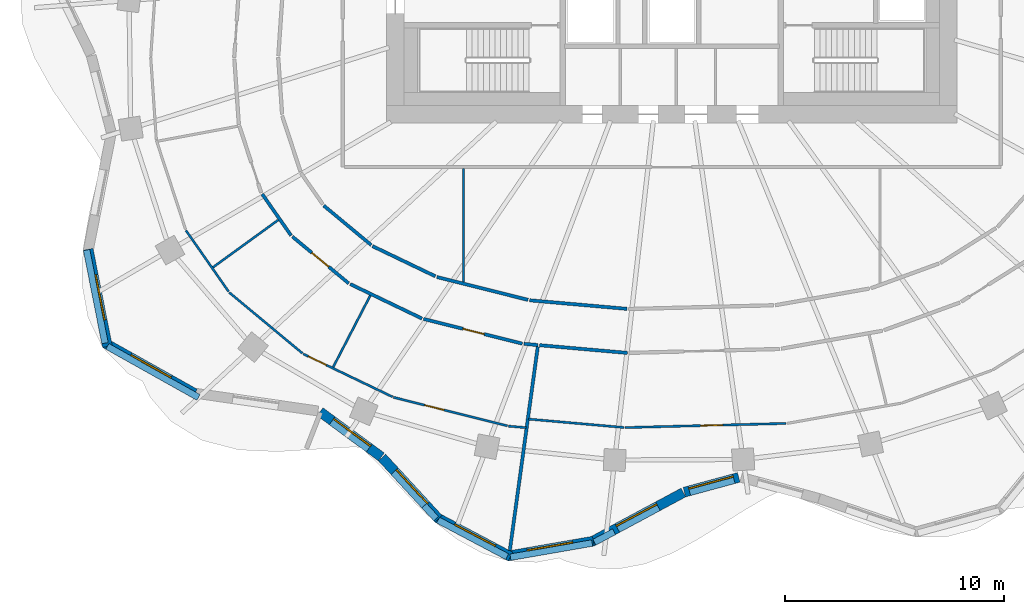
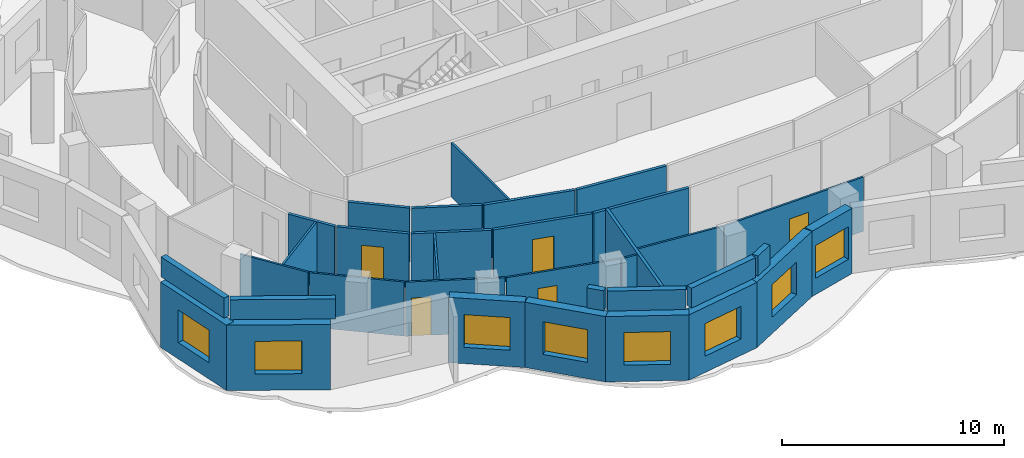
# One storey, part 3 of 10: 35 walls, 8 windows, 5 doors, 13 openings.
"""IFC4 building model written with IfcOpenShell, lengths in metres."""

from ifc_helpers import new_model, si_unit, direction, frame, frame_2d, origin, place, context, subcontext, project, spatial, rectangle, extrude, material, layer, layer_set, type_object, element, fill, save


model = new_model("IFC4")

# Units and contexts
model_context = context("Model", 3, precision=1e-05, world=origin(), true_north=direction((0.0, 1.0)))
body_context = subcontext(model_context, "Body", "Model", "MODEL_VIEW")
ifc_project = project(units=[si_unit("LENGTHUNIT", "METRE"), si_unit("AREAUNIT", "SQUARE_METRE"), si_unit("VOLUMEUNIT", "CUBIC_METRE"), si_unit("PLANEANGLEUNIT", "RADIAN"), si_unit("MASSUNIT", "GRAM", prefix="KILO")], contexts=[model_context])

# Site, building, storey
site_placement = place(None, origin())
site = spatial("IfcSite", under=ifc_project, at=site_placement, CompositionType="ELEMENT")
building_placement = place(site_placement, origin())
building = spatial("IfcBuilding", under=site, at=building_placement, Name="Rubra Terraces Tower", CompositionType="ELEMENT")
storey_placement = place(building_placement, frame((0.0, 0.0, 213.0)))
storey = spatial("IfcBuildingStorey", under=building, at=storey_placement, Name="L52", CompositionType="ELEMENT", Elevation=213.0)

# Wall, opening, window
ifc_material_1 = material(Name="Brick masonry red-brown", Category="masonry")
ifc_layer_1 = layer(ifc_material_1, 0.449951171875)
ifc_layer_set_1 = layer_set([ifc_layer_1], Name="Brick masonry red-brown")
wall_type_1 = type_object("IfcWallType", Name="Brick facade wall 450", PredefinedType="SOLIDWALL", material=ifc_layer_set_1)
wall_1_placement = place(storey_placement, frame((-26.609619140625, -8.747802734375, 0.0), z_axis=(0.0, 0.0, 1.0), x_axis=(0.193923166402, -0.981016720312, 0.0)))
wall_1 = element("IfcWall", 1, at=wall_1_placement, inside=storey, type_object=wall_type_1, Name="Facade wall L52 bay 23", PredefinedType="SOLIDWALL", context=body_context, shape_type="SweptSolid", body=[
    extrude(rectangle(XDim=4.518310546875, YDim=0.449951171875, at=frame_2d((2.25927734375, 0.0))), origin(), (0.0, 0.0, 1.0), 3.60009765625),
])
opening_1_placement = place(wall_1_placement, frame((1.209228515625, 0.0, 0.89990234375)))
opening_1 = element("IfcOpeningElement", 2, at=opening_1_placement, cuts=wall_1, Name="Opening W1Z", PredefinedType="OPENING", context=body_context, shape_type="SweptSolid", body=[
    extrude(rectangle(XDim=2.10009765625, YDim=1.800048828125, at=frame_2d((1.050048828125, 0.89990234375))), frame((0.0, 0.23486328125, 0.0), z_axis=(0.0, -1.0, 0.0), x_axis=(1.0, 0.0, 0.0)), (0.0, 0.0, 1.0), 0.469970703125),
])
ifc_material_2 = material(Name="Clear glass in aluminium frame", Category="aluminium")
window_type = type_object("IfcWindowType", Name="Fixed deep-set window under transfer level 2100 x 1800", PartitioningType="SINGLE_PANEL", PredefinedType="WINDOW", material=ifc_material_2)
window_1_placement = place(opening_1_placement, origin())
window_1 = element("IfcWindow", 3, at=window_1_placement, inside=storey, type_object=window_type, Name="Window L52 bay 23", OverallHeight=1.800048828125, OverallWidth=2.10009765625, PartitioningType="SINGLE_PANEL", PredefinedType="WINDOW", context=body_context, shape_type="SweptSolid", body=[
    extrude(rectangle(XDim=2.10009765625, YDim=1.800048828125, at=frame_2d((1.050048828125, 0.89990234375))), frame((0.0, 0.135009765625, 0.0), z_axis=(0.0, -1.0, 0.0), x_axis=(1.0, 0.0, 0.0)), (0.0, 0.0, 1.0), 0.06005859375),
])
fill(opening_1, window_1)

wall_2_placement = place(storey_placement, frame((-25.843994140625, -13.027587890625, 0.0), z_axis=(0.0, 0.0, 1.0), x_axis=(0.872346398261, -0.488888291373, 0.0)))
wall_2 = element("IfcWall", 4, at=wall_2_placement, inside=storey, type_object=wall_type_1, Name="Facade wall L52 bay 24", PredefinedType="SOLIDWALL", context=body_context, shape_type="SweptSolid", body=[
    extrude(rectangle(XDim=4.696044921875, YDim=0.449951171875, at=frame_2d((2.34814453125, 0.0))), origin(), (0.0, 0.0, 1.0), 3.60009765625),
])
opening_2_placement = place(wall_2_placement, frame((1.298095703125, 0.0, 0.89990234375)))
opening_2 = element("IfcOpeningElement", 5, at=opening_2_placement, cuts=wall_2, Name="Opening W1Z", PredefinedType="OPENING", context=body_context, shape_type="SweptSolid", body=[
    extrude(rectangle(XDim=2.10009765625, YDim=1.800048828125, at=frame_2d((1.050048828125, 0.89990234375))), frame((0.0, 0.23486328125, 0.0), z_axis=(0.0, -1.0, 0.0), x_axis=(1.0, 0.0, 0.0)), (0.0, 0.0, 1.0), 0.469970703125),
])
window_2_placement = place(opening_2_placement, origin())
window_2 = element("IfcWindow", 6, at=window_2_placement, inside=storey, type_object=window_type, Name="Window L52 bay 24", OverallHeight=1.800048828125, OverallWidth=2.10009765625, PartitioningType="SINGLE_PANEL", PredefinedType="WINDOW", context=body_context, shape_type="SweptSolid", body=[
    extrude(rectangle(XDim=2.10009765625, YDim=1.800048828125, at=frame_2d((1.050048828125, 0.89990234375))), frame((0.0, 0.135009765625, 0.0), z_axis=(0.0, -1.0, 0.0), x_axis=(1.0, 0.0, 0.0)), (0.0, 0.0, 1.0), 0.06005859375),
])
fill(opening_2, window_2)

wall_3_placement = place(storey_placement, frame((-16.03564453125, -16.15771484375, 0.0), z_axis=(0.0, 0.0, 1.0), x_axis=(0.805181432967, -0.593028549064, 0.0)))
wall_3 = element("IfcWall", 7, at=wall_3_placement, inside=storey, type_object=wall_type_1, Name="Facade wall L52 bay 26", PredefinedType="SOLIDWALL", context=body_context, shape_type="SweptSolid", body=[
    extrude(rectangle(XDim=3.468505859375, YDim=0.449951171875, at=frame_2d((1.734375, 0.0))), origin(), (0.0, 0.0, 1.0), 3.60009765625),
])
opening_3_placement = place(wall_3_placement, frame((0.684326171875, 0.0, 0.89990234375)))
opening_3 = element("IfcOpeningElement", 8, at=opening_3_placement, cuts=wall_3, Name="Opening W1Z", PredefinedType="OPENING", context=body_context, shape_type="SweptSolid", body=[
    extrude(rectangle(XDim=2.10009765625, YDim=1.800048828125, at=frame_2d((1.050048828125, 0.89990234375))), frame((0.0, 0.23486328125, 0.0), z_axis=(0.0, -1.0, 0.0), x_axis=(1.0, 0.0, 0.0)), (0.0, 0.0, 1.0), 0.469970703125),
])
window_3_placement = place(opening_3_placement, origin())
window_3 = element("IfcWindow", 9, at=window_3_placement, inside=storey, type_object=window_type, Name="Window L52 bay 26", OverallHeight=1.800048828125, OverallWidth=2.10009765625, PartitioningType="SINGLE_PANEL", PredefinedType="WINDOW", context=body_context, shape_type="SweptSolid", body=[
    extrude(rectangle(XDim=2.10009765625, YDim=1.800048828125, at=frame_2d((1.050048828125, 0.89990234375))), frame((0.0, 0.135009765625, 0.0), z_axis=(0.0, -1.0, 0.0), x_axis=(1.0, 0.0, 0.0)), (0.0, 0.0, 1.0), 0.06005859375),
])
fill(opening_3, window_3)

wall_4_placement = place(storey_placement, frame((-13.20947265625, -18.242919921875, 0.0), z_axis=(0.0, 0.0, 1.0), x_axis=(0.677612152497, -0.735419452278, 0.0)))
wall_4 = element("IfcWall", 10, at=wall_4_placement, inside=storey, type_object=wall_type_1, Name="Facade wall L52 bay 27", PredefinedType="SOLIDWALL", context=body_context, shape_type="SweptSolid", body=[
    extrude(rectangle(XDim=3.796875, YDim=0.449951171875, at=frame_2d((1.8984375, 0.0))), origin(), (0.0, 0.0, 1.0), 3.60009765625),
])
opening_4_placement = place(wall_4_placement, frame((0.848388671875, 0.0, 0.89990234375)))
opening_4 = element("IfcOpeningElement", 11, at=opening_4_placement, cuts=wall_4, Name="Opening W1Z", PredefinedType="OPENING", context=body_context, shape_type="SweptSolid", body=[
    extrude(rectangle(XDim=2.10009765625, YDim=1.800048828125, at=frame_2d((1.050048828125, 0.89990234375))), frame((0.0, 0.23486328125, 0.0), z_axis=(0.0, -1.0, 0.0), x_axis=(1.0, 0.0, 0.0)), (0.0, 0.0, 1.0), 0.469970703125),
])
window_4_placement = place(opening_4_placement, origin())
window_4 = element("IfcWindow", 12, at=window_4_placement, inside=storey, type_object=window_type, Name="Window L52 bay 27", OverallHeight=1.800048828125, OverallWidth=2.10009765625, PartitioningType="SINGLE_PANEL", PredefinedType="WINDOW", context=body_context, shape_type="SweptSolid", body=[
    extrude(rectangle(XDim=2.10009765625, YDim=1.800048828125, at=frame_2d((1.050048828125, 0.89990234375))), frame((0.0, 0.135009765625, 0.0), z_axis=(0.0, -1.0, 0.0), x_axis=(1.0, 0.0, 0.0)), (0.0, 0.0, 1.0), 0.06005859375),
])
fill(opening_4, window_4)

wall_5_placement = place(storey_placement, frame((-10.692626953125, -20.9931640625, 0.0), z_axis=(0.0, 0.0, 1.0), x_axis=(0.883817790726, -0.46783128668, 0.0)))
wall_5 = element("IfcWall", 13, at=wall_5_placement, inside=storey, type_object=wall_type_1, Name="Facade wall L52 bay 28", PredefinedType="SOLIDWALL", context=body_context, shape_type="SweptSolid", body=[
    extrude(rectangle(XDim=3.776611328125, YDim=0.449951171875, at=frame_2d((1.88818359375, 0.0))), origin(), (0.0, 0.0, 1.0), 3.60009765625),
])
opening_5_placement = place(wall_5_placement, frame((0.83837890625, 0.0, 0.89990234375)))
opening_5 = element("IfcOpeningElement", 14, at=opening_5_placement, cuts=wall_5, Name="Opening W1Z", PredefinedType="OPENING", context=body_context, shape_type="SweptSolid", body=[
    extrude(rectangle(XDim=2.10009765625, YDim=1.800048828125, at=frame_2d((1.050048828125, 0.89990234375))), frame((0.0, 0.23486328125, 0.0), z_axis=(0.0, -1.0, 0.0), x_axis=(1.0, 0.0, 0.0)), (0.0, 0.0, 1.0), 0.469970703125),
])
window_5_placement = place(opening_5_placement, origin())
window_5 = element("IfcWindow", 15, at=window_5_placement, inside=storey, type_object=window_type, Name="Window L52 bay 28", OverallHeight=1.800048828125, OverallWidth=2.10009765625, PartitioningType="SINGLE_PANEL", PredefinedType="WINDOW", context=body_context, shape_type="SweptSolid", body=[
    extrude(rectangle(XDim=2.10009765625, YDim=1.800048828125, at=frame_2d((1.050048828125, 0.89990234375))), frame((0.0, 0.135009765625, 0.0), z_axis=(0.0, -1.0, 0.0), x_axis=(1.0, 0.0, 0.0)), (0.0, 0.0, 1.0), 0.06005859375),
])
fill(opening_5, window_5)

wall_6_placement = place(storey_placement, frame((-7.49853515625, -22.7373046875, 0.0), z_axis=(0.0, 0.0, 1.0), x_axis=(0.98521220506, 0.171338585849, 0.0)))
wall_6 = element("IfcWall", 16, at=wall_6_placement, inside=storey, type_object=wall_type_1, Name="Facade wall L52 bay 29", PredefinedType="SOLIDWALL", context=body_context, shape_type="SweptSolid", body=[
    extrude(rectangle(XDim=3.979736328125, YDim=0.449951171875, at=frame_2d((1.98974609375, 0.0))), origin(), (0.0, 0.0, 1.0), 3.60009765625),
])
opening_6_placement = place(wall_6_placement, frame((0.93994140625, 0.0, 0.89990234375)))
opening_6 = element("IfcOpeningElement", 17, at=opening_6_placement, cuts=wall_6, Name="Opening W1Z", PredefinedType="OPENING", context=body_context, shape_type="SweptSolid", body=[
    extrude(rectangle(XDim=2.10009765625, YDim=1.800048828125, at=frame_2d((1.050048828125, 0.89990234375))), frame((0.0, 0.23486328125, 0.0), z_axis=(0.0, -1.0, 0.0), x_axis=(1.0, 0.0, 0.0)), (0.0, 0.0, 1.0), 0.469970703125),
])
window_6_placement = place(opening_6_placement, origin())
window_6 = element("IfcWindow", 18, at=window_6_placement, inside=storey, type_object=window_type, Name="Window L52 bay 29", OverallHeight=1.800048828125, OverallWidth=2.10009765625, PartitioningType="SINGLE_PANEL", PredefinedType="WINDOW", context=body_context, shape_type="SweptSolid", body=[
    extrude(rectangle(XDim=2.10009765625, YDim=1.800048828125, at=frame_2d((1.050048828125, 0.89990234375))), frame((0.0, 0.135009765625, 0.0), z_axis=(0.0, -1.0, 0.0), x_axis=(1.0, 0.0, 0.0)), (0.0, 0.0, 1.0), 0.06005859375),
])
fill(opening_6, window_6)

wall_7_placement = place(storey_placement, frame((-3.6455078125, -22.07861328125, 0.0), z_axis=(0.0, 0.0, 1.0), x_axis=(0.881279133897, 0.472596115259, 0.0)))
wall_7 = element("IfcWall", 19, at=wall_7_placement, inside=storey, type_object=wall_type_1, Name="Facade wall L52 bay 30", PredefinedType="SOLIDWALL", context=body_context, shape_type="SweptSolid", body=[
    extrude(rectangle(XDim=4.736572265625, YDim=0.449951171875, at=frame_2d((2.3681640625, 0.0))), origin(), (0.0, 0.0, 1.0), 3.60009765625),
])
opening_7_placement = place(wall_7_placement, frame((1.318115234375, 0.0, 0.89990234375)))
opening_7 = element("IfcOpeningElement", 20, at=opening_7_placement, cuts=wall_7, Name="Opening W1Z", PredefinedType="OPENING", context=body_context, shape_type="SweptSolid", body=[
    extrude(rectangle(XDim=2.10009765625, YDim=1.800048828125, at=frame_2d((1.050048828125, 0.89990234375))), frame((0.0, 0.23486328125, 0.0), z_axis=(0.0, -1.0, 0.0), x_axis=(1.0, 0.0, 0.0)), (0.0, 0.0, 1.0), 0.469970703125),
])
window_7_placement = place(opening_7_placement, origin())
window_7 = element("IfcWindow", 21, at=window_7_placement, inside=storey, type_object=window_type, Name="Window L52 bay 30", OverallHeight=1.800048828125, OverallWidth=2.10009765625, PartitioningType="SINGLE_PANEL", PredefinedType="WINDOW", context=body_context, shape_type="SweptSolid", body=[
    extrude(rectangle(XDim=2.10009765625, YDim=1.800048828125, at=frame_2d((1.050048828125, 0.89990234375))), frame((0.0, 0.135009765625, 0.0), z_axis=(0.0, -1.0, 0.0), x_axis=(1.0, 0.0, 0.0)), (0.0, 0.0, 1.0), 0.06005859375),
])
fill(opening_7, window_7)

wall_8_placement = place(storey_placement, frame((0.576171875, -19.8212890625, 0.0), z_axis=(0.0, 0.0, 1.0), x_axis=(0.965009398019, 0.262215296532, 0.0)))
wall_8 = element("IfcWall", 22, at=wall_8_placement, inside=storey, type_object=wall_type_1, Name="Facade wall L52 bay 31", PredefinedType="SOLIDWALL", context=body_context, shape_type="SweptSolid", body=[
    extrude(rectangle(XDim=2.565185546875, YDim=0.449951171875, at=frame_2d((1.28271484375, 0.0))), origin(), (0.0, 0.0, 1.0), 3.60009765625),
])
opening_8_placement = place(wall_8_placement, frame((0.232666015625, 0.0, 0.89990234375)))
opening_8 = element("IfcOpeningElement", 23, at=opening_8_placement, cuts=wall_8, Name="Opening W1Z", PredefinedType="OPENING", context=body_context, shape_type="SweptSolid", body=[
    extrude(rectangle(XDim=2.10009765625, YDim=1.800048828125, at=frame_2d((1.050048828125, 0.89990234375))), frame((0.0, 0.23486328125, 0.0), z_axis=(0.0, -1.0, 0.0), x_axis=(1.0, 0.0, 0.0)), (0.0, 0.0, 1.0), 0.469970703125),
])
window_8_placement = place(opening_8_placement, origin())
window_8 = element("IfcWindow", 24, at=window_8_placement, inside=storey, type_object=window_type, Name="Window L52 bay 31", OverallHeight=1.800048828125, OverallWidth=2.10009765625, PartitioningType="SINGLE_PANEL", PredefinedType="WINDOW", context=body_context, shape_type="SweptSolid", body=[
    extrude(rectangle(XDim=2.10009765625, YDim=1.800048828125, at=frame_2d((1.050048828125, 0.89990234375))), frame((0.0, 0.135009765625, 0.0), z_axis=(0.0, -1.0, 0.0), x_axis=(1.0, 0.0, 0.0)), (0.0, 0.0, 1.0), 0.06005859375),
])
fill(opening_8, window_8)

# Walls
ifc_layer_2 = layer(ifc_material_1, 0.300048828125)
ifc_layer_set_2 = layer_set([ifc_layer_2], Name="Brick masonry red-brown")
wall_type_2 = type_object("IfcWallType", Name="Brick parapet 300", PredefinedType="PARAPET", material=ifc_layer_set_2)
wall_9_placement = place(storey_placement, frame((-26.6796875, -8.7802734375, 3.89990234375), z_axis=(0.0, 0.0, 1.0), x_axis=(0.193937094138, -0.981013967035, 0.0)))
element("IfcWall", 25, at=wall_9_placement, inside=storey, type_object=wall_type_2, Name="Parapet L52 bay 23", PredefinedType="PARAPET", context=body_context, shape_type="SweptSolid", body=[
    extrude(rectangle(XDim=4.331787109375, YDim=0.300048828125, at=frame_2d((2.166015625, 0.0))), origin(), (0.0, 0.0, 1.0), 1.10009765625),
])
wall_10_placement = place(storey_placement, frame((-25.733642578125, -13.175537109375, 3.89990234375), z_axis=(0.0, 0.0, 1.0), x_axis=(0.872345142407, -0.488890532245, 0.0)))
element("IfcWall", 26, at=wall_10_placement, inside=storey, type_object=wall_type_2, Name="Parapet L52 bay 24", PredefinedType="PARAPET", context=body_context, shape_type="SweptSolid", body=[
    extrude(rectangle(XDim=4.762939453125, YDim=0.300048828125, at=frame_2d((2.38134765625, 0.0))), origin(), (0.0, 0.0, 1.0), 1.10009765625),
])
wall_11_placement = place(storey_placement, frame((-11.286865234375, -20.440185546875, 3.89990234375), z_axis=(0.0, 0.0, 1.0), x_axis=(0.67762296798, -0.735409486793, 0.0)))
element("IfcWall", 27, at=wall_11_placement, inside=storey, type_object=wall_type_2, Name="Parapet L52 bay 27", PredefinedType="PARAPET", context=body_context, shape_type="SweptSolid", body=[
    extrude(rectangle(XDim=0.802734375, YDim=0.300048828125, at=frame_2d((0.4013671875, 0.0))), origin(), (0.0, 0.0, 1.0), 1.10009765625),
])
wall_12_placement = place(storey_placement, frame((-10.656005859375, -21.097412109375, 3.89990234375), z_axis=(0.0, 0.0, 1.0), x_axis=(0.883797916666, -0.467868830439, 0.0)))
element("IfcWall", 28, at=wall_12_placement, inside=storey, type_object=wall_type_2, Name="Parapet L52 bay 28", PredefinedType="PARAPET", context=body_context, shape_type="SweptSolid", body=[
    extrude(rectangle(XDim=3.56298828125, YDim=0.300048828125, at=frame_2d((1.781494140625, 0.0))), origin(), (0.0, 0.0, 1.0), 1.10009765625),
])
wall_13_placement = place(storey_placement, frame((-7.35498046875, -22.78857421875, 3.89990234375), z_axis=(0.0, 0.0, 1.0), x_axis=(0.985197529684, 0.171422949176, 0.0)))
element("IfcWall", 29, at=wall_13_placement, inside=storey, type_object=wall_type_2, Name="Parapet L52 bay 29", PredefinedType="PARAPET", context=body_context, shape_type="SweptSolid", body=[
    extrude(rectangle(XDim=3.77978515625, YDim=0.300048828125, at=frame_2d((1.889892578125, 0.0))), origin(), (0.0, 0.0, 1.0), 1.10009765625),
])
wall_14_placement = place(storey_placement, frame((-3.52978515625, -22.105712890625, 3.89990234375), z_axis=(0.0, 0.0, 1.0), x_axis=(0.881284245626, 0.472586582979, 0.0)))
element("IfcWall", 30, at=wall_14_placement, inside=storey, type_object=wall_type_2, Name="Parapet L52 bay 30", PredefinedType="PARAPET", context=body_context, shape_type="SweptSolid", body=[
    extrude(rectangle(XDim=1.020263671875, YDim=0.300048828125, at=frame_2d((0.51025390625, 0.0))), origin(), (0.0, 0.0, 1.0), 1.10009765625),
])
ifc_material_3 = material(Name="Plasterboard on steel stud, mineral wool infill", Category="steel")
ifc_layer_3 = layer(ifc_material_3, 0.14990234375)
ifc_layer_set_3 = layer_set([ifc_layer_3], Name="Plasterboard on steel stud, mineral wool infill")
wall_type_3 = type_object("IfcWallType", Name="CORRIDOR PARTITION 150", PredefinedType="PARTITIONING", material=ifc_layer_set_3)
wall_15_placement = place(storey_placement, frame((-18.673828125, -6.231689453125, 0.0), z_axis=(0.0, 0.0, 1.0), x_axis=(0.572118665737, -0.820170855563, 0.0)))
element("IfcWall", 31, at=wall_15_placement, inside=storey, type_object=wall_type_3, Name="PARTITION", PredefinedType="PARTITIONING", context=body_context, shape_type="SweptSolid", body=[
    extrude(rectangle(XDim=2.30615234375, YDim=0.14990234375, at=frame_2d((1.153076171875, 0.0))), origin(), (0.0, 0.0, 1.0), 2.98388671875),
])

# Wall, opening, door
wall_16_placement = place(storey_placement, frame((-17.296875, -8.1708984375, 0.0), z_axis=(0.0, 0.0, 1.0), x_axis=(0.769228575061, -0.638973707839, 0.0)))
wall_16 = element("IfcWall", 32, at=wall_16_placement, inside=storey, type_object=wall_type_3, Name="PARTITION", PredefinedType="PARTITIONING", context=body_context, shape_type="SweptSolid", body=[
    extrude(rectangle(XDim=3.33447265625, YDim=0.14990234375, at=frame_2d((1.667236328125, 0.0))), origin(), (0.0, 0.0, 1.0), 2.98388671875),
])
opening_9_placement = place(wall_16_placement, frame((1.14990234375, 0.0, 0.0)))
opening_9 = element("IfcOpeningElement", 33, at=opening_9_placement, cuts=wall_16, Name="Opening 52-120", PredefinedType="OPENING", context=body_context, shape_type="SweptSolid", body=[
    extrude(rectangle(XDim=1.0, YDim=2.10009765625, at=frame_2d((0.5, 1.050048828125))), frame((0.0, 0.0849609375, 0.0), z_axis=(0.0, -1.0, 0.0), x_axis=(1.0, 0.0, 0.0)), (0.0, 0.0, 1.0), 0.169921875),
])
ifc_material_4 = material(Name="Painted timber door leaf", Category="wood")
door_type_1 = type_object("IfcDoorType", Name="ROOM DOOR 1000 X 2100", OperationType="SINGLE_SWING_LEFT", PredefinedType="DOOR", material=ifc_material_4)
door_1_placement = place(opening_9_placement, origin())
door_1 = element("IfcDoor", 34, at=door_1_placement, inside=storey, type_object=door_type_1, Name="DOOR 52-120", OperationType="SINGLE_SWING_RIGHT", OverallHeight=2.10009765625, OverallWidth=1.0, PredefinedType="DOOR", context=body_context, shape_type="SweptSolid", body=[
    extrude(rectangle(XDim=1.0, YDim=2.10009765625, at=frame_2d((0.5, 1.050048828125))), frame((0.0, 0.02490234375, 0.0), z_axis=(0.0, -1.0, 0.0), x_axis=(1.0, 0.0, 0.0)), (0.0, 0.0, 1.0), 0.050048828125),
])
fill(opening_9, door_1)

# Wall
wall_17_placement = place(storey_placement, frame((-14.664306640625, -10.333984375, 0.0), z_axis=(0.0, 0.0, 1.0), x_axis=(0.901507315282, -0.432763862278, 0.0)))
element("IfcWall", 35, at=wall_17_placement, inside=storey, type_object=wall_type_3, Name="PARTITION", PredefinedType="PARTITIONING", context=body_context, shape_type="SweptSolid", body=[
    extrude(rectangle(XDim=3.63037109375, YDim=0.14990234375, at=frame_2d((1.815185546875, 0.0))), origin(), (0.0, 0.0, 1.0), 2.98388671875),
])

# Wall, opening, door
wall_18_placement = place(storey_placement, frame((-11.318603515625, -11.923095703125, 0.0), z_axis=(0.0, 0.0, 1.0), x_axis=(0.969990815038, -0.243141561114, 0.0)))
wall_18 = element("IfcWall", 36, at=wall_18_placement, inside=storey, type_object=wall_type_3, Name="PARTITION", PredefinedType="PARTITIONING", context=body_context, shape_type="SweptSolid", body=[
    extrude(rectangle(XDim=4.64501953125, YDim=0.14990234375, at=frame_2d((2.322509765625, 0.0))), origin(), (0.0, 0.0, 1.0), 2.98388671875),
])
opening_10_placement = place(wall_18_placement, frame((1.85009765625, 0.0, 0.0)))
opening_10 = element("IfcOpeningElement", 37, at=opening_10_placement, cuts=wall_18, Name="Opening 52-121", PredefinedType="OPENING", context=body_context, shape_type="SweptSolid", body=[
    extrude(rectangle(XDim=1.0, YDim=2.10009765625, at=frame_2d((0.5, 1.050048828125))), frame((0.0, 0.0849609375, 0.0), z_axis=(0.0, -1.0, 0.0), x_axis=(1.0, 0.0, 0.0)), (0.0, 0.0, 1.0), 0.169921875),
])
door_2_placement = place(opening_10_placement, origin())
door_2 = element("IfcDoor", 38, at=door_2_placement, inside=storey, type_object=door_type_1, Name="DOOR 52-121", OperationType="SINGLE_SWING_RIGHT", OverallHeight=2.10009765625, OverallWidth=1.0, PredefinedType="DOOR", context=body_context, shape_type="SweptSolid", body=[
    extrude(rectangle(XDim=1.0, YDim=2.10009765625, at=frame_2d((0.5, 1.050048828125))), frame((0.0, 0.02490234375, 0.0), z_axis=(0.0, -1.0, 0.0), x_axis=(1.0, 0.0, 0.0)), (0.0, 0.0, 1.0), 0.050048828125),
])
fill(opening_10, door_2)

# Walls
wall_19_placement = place(storey_placement, frame((-6.73828125, -13.05908203125, 0.0), z_axis=(0.0, 0.0, 1.0), x_axis=(0.996163093105, -0.087516238126, 0.0)))
element("IfcWall", 39, at=wall_19_placement, inside=storey, type_object=wall_type_3, Name="PARTITION", PredefinedType="PARTITIONING", context=body_context, shape_type="SweptSolid", body=[
    extrude(rectangle(XDim=0.6416015625, YDim=0.14990234375, at=frame_2d((0.32080078125, 0.0))), origin(), (0.0, 0.0, 1.0), 2.98388671875),
])
wall_20_placement = place(storey_placement, frame((-6.0244140625, -13.121826171875, 0.0), z_axis=(0.0, 0.0, 1.0), x_axis=(0.996140650131, -0.087771323084, 0.0)))
element("IfcWall", 40, at=wall_20_placement, inside=storey, type_object=wall_type_3, Name="PARTITION", PredefinedType="PARTITIONING", context=body_context, shape_type="SweptSolid", body=[
    extrude(rectangle(XDim=4.013671875, YDim=0.14990234375, at=frame_2d((2.0068359375, 0.0))), origin(), (0.0, 0.0, 1.0), 2.98388671875),
])
wall_21_placement = place(storey_placement, frame((-2.038818359375, -11.46533203125, 0.0), z_axis=(0.0, 0.0, 1.0), x_axis=(-0.996139855484, 0.087780341286, 0.0)))
element("IfcWall", 41, at=wall_21_placement, inside=storey, type_object=wall_type_3, Name="PARTITION", PredefinedType="PARTITIONING", context=body_context, shape_type="SweptSolid", body=[
    extrude(rectangle(XDim=4.458251953125, YDim=0.14990234375, at=frame_2d((2.22900390625, 0.0))), origin(), (0.0, 0.0, 1.0), 2.98388671875),
])
wall_22_placement = place(storey_placement, frame((-6.552734375, -11.055908203125, 0.0), z_axis=(0.0, 0.0, 1.0), x_axis=(-0.970004917182, 0.243085294995, 0.0)))
element("IfcWall", 42, at=wall_22_placement, inside=storey, type_object=wall_type_3, Name="PARTITION", PredefinedType="PARTITIONING", context=body_context, shape_type="SweptSolid", body=[
    extrude(rectangle(XDim=4.284423828125, YDim=0.14990234375, at=frame_2d((2.14208984375, 0.0))), origin(), (0.0, 0.0, 1.0), 2.98388671875),
])
wall_23_placement = place(storey_placement, frame((-10.7763671875, -9.981689453125, 0.0), z_axis=(0.0, 0.0, 1.0), x_axis=(-0.901511079436, 0.432756020933, 0.0)))
element("IfcWall", 43, at=wall_23_placement, inside=storey, type_object=wall_type_3, Name="PARTITION", PredefinedType="PARTITIONING", context=body_context, shape_type="SweptSolid", body=[
    extrude(rectangle(XDim=3.1806640625, YDim=0.14990234375, at=frame_2d((1.59033203125, 0.0))), origin(), (0.0, 0.0, 1.0), 2.98388671875),
])
wall_24_placement = place(storey_placement, frame((-13.70166015625, -8.557373046875, 0.0), z_axis=(0.0, 0.0, 1.0), x_axis=(-0.769221825067, 0.638981833733, 0.0)))
element("IfcWall", 44, at=wall_24_placement, inside=storey, type_object=wall_type_3, Name="PARTITION", PredefinedType="PARTITIONING", context=body_context, shape_type="SweptSolid", body=[
    extrude(rectangle(XDim=2.8173828125, YDim=0.14990234375, at=frame_2d((1.40869140625, 0.0))), origin(), (0.0, 0.0, 1.0), 2.98388671875),
])
ifc_material_5 = material(Name="Plasterboard on steel stud", Category="steel")
ifc_layer_4 = layer(ifc_material_5, 0.10009765625)
ifc_layer_set_4 = layer_set([ifc_layer_4], Name="Plasterboard on steel stud")
wall_type_4 = type_object("IfcWallType", Name="ROOM PARTITION 100", PredefinedType="PARTITIONING", material=ifc_layer_set_4)
wall_25_placement = place(storey_placement, frame((-6.63623046875, -16.8828125, 0.0), z_axis=(0.0, 0.0, 1.0), x_axis=(-0.996140679017, 0.087770995254, 0.0)))
element("IfcWall", 45, at=wall_25_placement, inside=storey, type_object=wall_type_4, Name="PARTITION", PredefinedType="PARTITIONING", context=body_context, shape_type="SweptSolid", body=[
    extrude(rectangle(XDim=0.812255859375, YDim=0.10009765625, at=frame_2d((0.40625, 0.0))), origin(), (0.0, 0.0, 1.0), 2.98388671875),
])

# Wall, opening, door
wall_26_placement = place(storey_placement, frame((-7.493896484375, -16.79931640625, 0.0), z_axis=(0.0, 0.0, 1.0), x_axis=(-0.969997521867, 0.243114803276, 0.0)))
wall_26 = element("IfcWall", 46, at=wall_26_placement, inside=storey, type_object=wall_type_4, Name="PARTITION", PredefinedType="PARTITIONING", context=body_context, shape_type="SweptSolid", body=[
    extrude(rectangle(XDim=5.35546875, YDim=0.10009765625, at=frame_2d((2.677734375, 0.0))), origin(), (0.0, 0.0, 1.0), 2.98388671875),
])
opening_11_placement = place(wall_26_placement, frame((2.97998046875, 0.0, 0.0)))
opening_11 = element("IfcOpeningElement", 47, at=opening_11_placement, cuts=wall_26, Name="Opening 52-105", PredefinedType="OPENING", context=body_context, shape_type="SweptSolid", body=[
    extrude(rectangle(XDim=0.89990234375, YDim=2.10009765625, at=frame_2d((0.449951171875, 1.050048828125))), frame((0.0, 0.06005859375, 0.0), z_axis=(0.0, -1.0, 0.0), x_axis=(1.0, 0.0, 0.0)), (0.0, 0.0, 1.0), 0.1201171875),
])
door_type_2 = type_object("IfcDoorType", Name="ROOM DOOR 900 X 2100", OperationType="SINGLE_SWING_LEFT", PredefinedType="DOOR", material=ifc_material_4)
door_3_placement = place(opening_11_placement, origin())
door_3 = element("IfcDoor", 48, at=door_3_placement, inside=storey, type_object=door_type_2, Name="DOOR 52-105", OperationType="SINGLE_SWING_RIGHT", OverallHeight=2.10009765625, OverallWidth=0.89990234375, PredefinedType="DOOR", context=body_context, shape_type="SweptSolid", body=[
    extrude(rectangle(XDim=0.89990234375, YDim=2.10009765625, at=frame_2d((0.449951171875, 1.050048828125))), frame((0.0, 0.02490234375, 0.0), z_axis=(0.0, -1.0, 0.0), x_axis=(1.0, 0.0, 0.0)), (0.0, 0.0, 1.0), 0.050048828125),
])
fill(opening_11, door_3)

wall_27_placement = place(storey_placement, frame((-12.73388671875, -15.475830078125, 0.0), z_axis=(0.0, 0.0, 1.0), x_axis=(-0.901501091464, 0.432776827117, 0.0)))
wall_27 = element("IfcWall", 49, at=wall_27_placement, inside=storey, type_object=wall_type_4, Name="PARTITION", PredefinedType="PARTITIONING", context=body_context, shape_type="SweptSolid", body=[
    extrude(rectangle(XDim=4.509521484375, YDim=0.10009765625, at=frame_2d((2.2548828125, 0.0))), origin(), (0.0, 0.0, 1.0), 2.98388671875),
])
opening_12_placement = place(wall_27_placement, frame((3.35009765625, 0.0, 0.0)))
opening_12 = element("IfcOpeningElement", 50, at=opening_12_placement, cuts=wall_27, Name="Opening 52-104", PredefinedType="OPENING", context=body_context, shape_type="SweptSolid", body=[
    extrude(rectangle(XDim=0.89990234375, YDim=2.10009765625, at=frame_2d((0.449951171875, 1.050048828125))), frame((0.0, 0.06005859375, 0.0), z_axis=(0.0, -1.0, 0.0), x_axis=(1.0, 0.0, 0.0)), (0.0, 0.0, 1.0), 0.1201171875),
])
door_4_placement = place(opening_12_placement, origin())
door_4 = element("IfcDoor", 51, at=door_4_placement, inside=storey, type_object=door_type_2, Name="DOOR 52-104", OperationType="SINGLE_SWING_RIGHT", OverallHeight=2.10009765625, OverallWidth=0.89990234375, PredefinedType="DOOR", context=body_context, shape_type="SweptSolid", body=[
    extrude(rectangle(XDim=0.89990234375, YDim=2.10009765625, at=frame_2d((0.449951171875, 1.050048828125))), frame((0.0, 0.02490234375, 0.0), z_axis=(0.0, -1.0, 0.0), x_axis=(1.0, 0.0, 0.0)), (0.0, 0.0, 1.0), 0.050048828125),
])
fill(opening_12, door_4)

# Walls
wall_28_placement = place(storey_placement, frame((-16.837890625, -13.4921875, 0.0), z_axis=(0.0, 0.0, 1.0), x_axis=(-0.769220564036, 0.63898335179, 0.0)))
element("IfcWall", 52, at=wall_28_placement, inside=storey, type_object=wall_type_4, Name="PARTITION", PredefinedType="PARTITIONING", context=body_context, shape_type="SweptSolid", body=[
    extrude(rectangle(XDim=4.341552734375, YDim=0.10009765625, at=frame_2d((2.1708984375, 0.0))), origin(), (0.0, 0.0, 1.0), 2.98388671875),
])
wall_29_placement = place(storey_placement, frame((-20.206298828125, -10.677001953125, 0.0), z_axis=(0.0, 0.0, 1.0), x_axis=(-0.572094058211, 0.820188020249, 0.0)))
element("IfcWall", 53, at=wall_29_placement, inside=storey, type_object=wall_type_4, Name="PARTITION", PredefinedType="PARTITIONING", context=body_context, shape_type="SweptSolid", body=[
    extrude(rectangle(XDim=3.40283203125, YDim=0.10009765625, at=frame_2d((1.701416015625, 0.0))), origin(), (0.0, 0.0, 1.0), 2.98388671875),
])
wall_30_placement = place(storey_placement, frame((-17.9423828125, -7.41162109375, 0.0), z_axis=(0.0, 0.0, 1.0), x_axis=(-0.809416276525, -0.587235294662, 0.0)))
element("IfcWall", 54, at=wall_30_placement, inside=storey, type_object=wall_type_4, Name="PARTITION", PredefinedType="PARTITIONING", context=body_context, shape_type="SweptSolid", body=[
    extrude(rectangle(XDim=3.675537109375, YDim=0.10009765625, at=frame_2d((1.837890625, 0.0))), origin(), (0.0, 0.0, 1.0), 2.98388671875),
])
wall_31_placement = place(storey_placement, frame((-13.7470703125, -10.857421875, 0.0), z_axis=(0.0, 0.0, 1.0), x_axis=(-0.460154350261, -0.887838934681, 0.0)))
element("IfcWall", 55, at=wall_31_placement, inside=storey, type_object=wall_type_4, Name="PARTITION", PredefinedType="PARTITIONING", context=body_context, shape_type="SweptSolid", body=[
    extrude(rectangle(XDim=3.6767578125, YDim=0.10009765625, at=frame_2d((1.83837890625, 0.0))), origin(), (0.0, 0.0, 1.0), 2.98388671875),
])

# Wall, opening, door
wall_32_placement = place(storey_placement, frame((5.2138671875, -16.687744140625, 0.0), z_axis=(0.0, 0.0, 1.0), x_axis=(-0.999664981446, -0.025882906921, 0.0)))
wall_32 = element("IfcWall", 56, at=wall_32_placement, inside=storey, type_object=wall_type_4, Name="PARTITION", PredefinedType="PARTITIONING", context=body_context, shape_type="SweptSolid", body=[
    extrude(rectangle(XDim=7.347900390625, YDim=0.10009765625, at=frame_2d((3.673828125, 0.0))), origin(), (0.0, 0.0, 1.0), 2.98388671875),
])
opening_13_placement = place(wall_32_placement, frame((2.89990234375, 0.0, 0.0)))
opening_13 = element("IfcOpeningElement", 57, at=opening_13_placement, cuts=wall_32, Name="Opening 52-107", PredefinedType="OPENING", context=body_context, shape_type="SweptSolid", body=[
    extrude(rectangle(XDim=1.0, YDim=2.10009765625, at=frame_2d((0.5, 1.050048828125))), frame((0.0, 0.06005859375, 0.0), z_axis=(0.0, -1.0, 0.0), x_axis=(1.0, 0.0, 0.0)), (0.0, 0.0, 1.0), 0.1201171875),
])
door_5_placement = place(opening_13_placement, origin())
door_5 = element("IfcDoor", 58, at=door_5_placement, inside=storey, type_object=door_type_1, Name="DOOR 52-107", OperationType="SINGLE_SWING_RIGHT", OverallHeight=2.10009765625, OverallWidth=1.0, PredefinedType="DOOR", context=body_context, shape_type="SweptSolid", body=[
    extrude(rectangle(XDim=1.0, YDim=2.10009765625, at=frame_2d((0.5, 1.050048828125))), frame((0.0, 0.02490234375, 0.0), z_axis=(0.0, -1.0, 0.0), x_axis=(1.0, 0.0, 0.0)), (0.0, 0.0, 1.0), 0.050048828125),
])
fill(opening_13, door_5)

# Walls
wall_33_placement = place(storey_placement, frame((-2.181396484375, -16.87353515625, 0.0), z_axis=(0.0, 0.0, 1.0), x_axis=(-0.996144341977, 0.087729413243, 0.0)))
element("IfcWall", 59, at=wall_33_placement, inside=storey, type_object=wall_type_4, Name="PARTITION", PredefinedType="PARTITIONING", context=body_context, shape_type="SweptSolid", body=[
    extrude(rectangle(XDim=4.37744140625, YDim=0.10009765625, at=frame_2d((2.188720703125, 0.0))), origin(), (0.0, 0.0, 1.0), 2.98388671875),
])
wall_34_placement = place(storey_placement, frame((-9.5, -10.2421875, 0.0), z_axis=(0.0, 0.0, 1.0), x_axis=(0.0, 1.0, 0.0)))
element("IfcWall", 60, at=wall_34_placement, inside=storey, type_object=wall_type_4, Name="PARTITION", PredefinedType="PARTITIONING", context=body_context, shape_type="SweptSolid", body=[
    extrude(rectangle(XDim=5.167236328125, YDim=0.10009765625, at=frame_2d((2.58349609375, 0.0))), origin(), (0.0, 0.0, 1.0), 2.98388671875),
])
ifc_layer_5 = layer(ifc_material_5, 0.14990234375)
ifc_layer_set_5 = layer_set([ifc_layer_5], Name="Plasterboard on steel stud")
wall_type_5 = type_object("IfcWallType", Name="ROOM PARTITION 150", PredefinedType="PARTITIONING", material=ifc_layer_set_5)
wall_35_placement = place(storey_placement, frame((-7.385009765625, -22.485107421875, 0.0), z_axis=(0.0, 0.0, 1.0), x_axis=(0.135958487289, 0.990714534936, 0.0)))
element("IfcWall", 61, at=wall_35_placement, inside=storey, type_object=wall_type_5, Name="PARTITION", PredefinedType="PARTITIONING", context=body_context, shape_type="SweptSolid", body=[
    extrude(rectangle(XDim=9.382568359375, YDim=0.14990234375, at=frame_2d((4.69140625, 0.0))), origin(), (0.0, 0.0, 1.0), 3.083984375),
])

save(model, "model.ifc")
